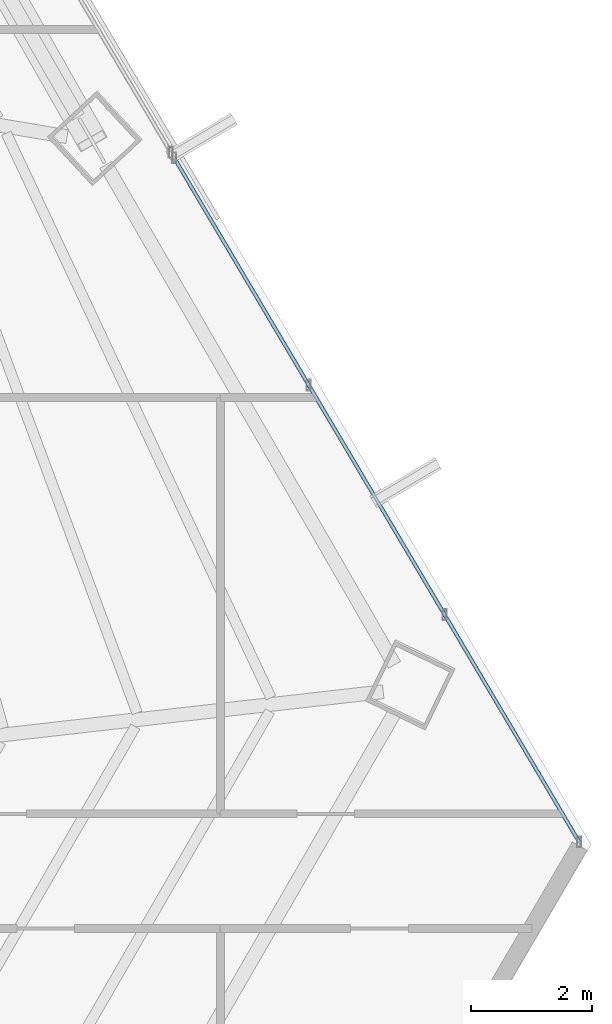
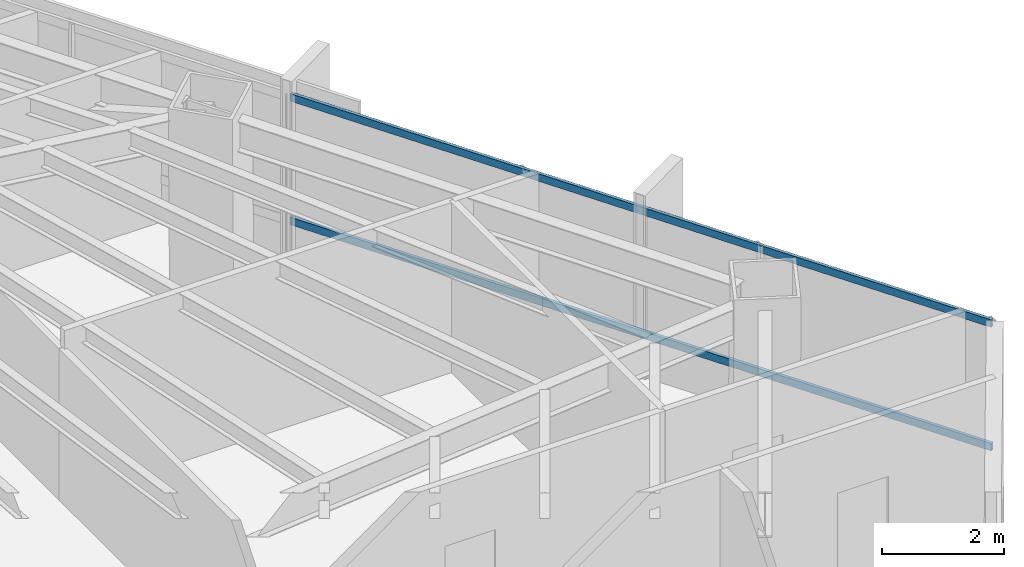
# One storey, part 23 of 37: 2 members, 1 element without a shape of its own.
"""IFC4 building model written with IfcOpenShell, lengths in metres."""

from ifc_helpers import new_model, si_unit, direction, frame, origin, origin_2d, place, context, subcontext, project, spatial, hollow_rectangle, extrude, source, transform, mapped, material, material_profile, profile_set, type_object, type_shapes, element, aggregate, save


model = new_model("IFC4")

# Units and contexts
model_context = context("Model", 3, precision=1e-05, world=origin(), true_north=direction((0.0, 1.0)))
body_context = subcontext(model_context, "Body", "Model", "MODEL_VIEW")
ifc_project = project(units=[si_unit("LENGTHUNIT", "METRE"), si_unit("AREAUNIT", "SQUARE_METRE"), si_unit("VOLUMEUNIT", "CUBIC_METRE"), si_unit("PLANEANGLEUNIT", "RADIAN"), si_unit("MASSUNIT", "GRAM", prefix="KILO")], contexts=[model_context])

# Site, building, storey
site_placement = place(None, origin())
site = spatial("IfcSite", under=ifc_project, at=site_placement, CompositionType="ELEMENT")
building_placement = place(site_placement, origin())
building = spatial("IfcBuilding", under=site, at=building_placement, Name="Caelisora Broadcast Tower", CompositionType="ELEMENT")
storey_placement = place(building_placement, frame((0.0, 0.0, 105.39990234375)))
storey = spatial("IfcBuildingStorey", under=building, at=storey_placement, Name="L27", CompositionType="ELEMENT", Elevation=105.39990234375)

# Curtain wall, members
ifc_material_1 = material(Name="Unitised Aluminium and Low-E Glass Curtain Wall", Category="glass")
curtain_wall_type = type_object("IfcCurtainWallType", Name="CW-Z2", PredefinedType="NOTDEFINED", material=ifc_material_1)
curtain_wall_placement = place(storey_placement, origin())
curtain_wall = element("IfcCurtainWall", 1, at=curtain_wall_placement, inside=storey, type_object=curtain_wall_type, Name="L27 curtain wall CW-Z2", PredefinedType="NOTDEFINED")
ifc_material_2 = material(Name="Aluminium 6063-T6 Anodised Terracotta Bronze", Category="aluminium")
ifc_material_profile = material_profile(ifc_material_2, hollow_rectangle(XDim=0.06005859375, YDim=0.14990234375, WallThickness=0.00341796875, at=origin_2d()), Name="Aluminium 6063-T6 Anodised Terracotta Bronze")
ifc_profile_set = profile_set([ifc_material_profile], Name="Aluminium 6063-T6 Anodised Terracotta Bronze")
member_type = type_object("IfcMemberType", Name="CWT-02", PredefinedType="USERDEFINED", material=ifc_profile_set)
shared_shape = source(origin(), body_context, "Body", "SweptSolid", [
    extrude(hollow_rectangle(XDim=0.06005859375, YDim=0.14990234375, WallThickness=0.00341796875, at=origin_2d()), origin(), (0.0, 0.0, 1.0), 13.17138671875),
])
type_shapes(member_type, [shared_shape])
member_1_placement = place(storey_placement, frame((57.21533203125, 27.968017578125, 0.85009765625), z_axis=(0.509452278394, -0.86049891112, 0.0), x_axis=(0.86049891112, 0.509452278394, 0.0)))
member_1 = element("IfcMember", 2, at=member_1_placement, type_object=member_type, Name="L27-CW-B03 transom #1", ObjectType="TRANSOM", PredefinedType="USERDEFINED", context=body_context, shape_type="MappedRepresentation", body=[
    mapped(shared_shape, transform((0.0, 0.0, 0.0), scale=1.0)),
])
member_2_placement = place(storey_placement, frame((57.21533203125, 27.968017578125, 3.320068359375), z_axis=(0.509452278394, -0.86049891112, 0.0), x_axis=(0.86049891112, 0.509452278394, 0.0)))
member_2 = element("IfcMember", 3, at=member_2_placement, type_object=member_type, Name="L27-CW-B03 transom #2", ObjectType="TRANSOM", PredefinedType="USERDEFINED", context=body_context, shape_type="MappedRepresentation", body=[
    mapped(shared_shape, transform((0.0, 0.0, 0.0), scale=1.0)),
])
aggregate(curtain_wall, [member_1, member_2])

save(model, "model.ifc")
